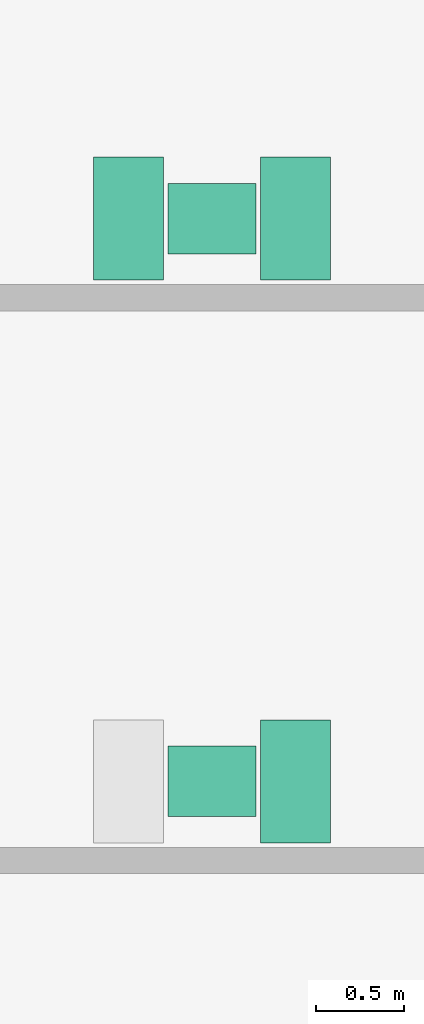
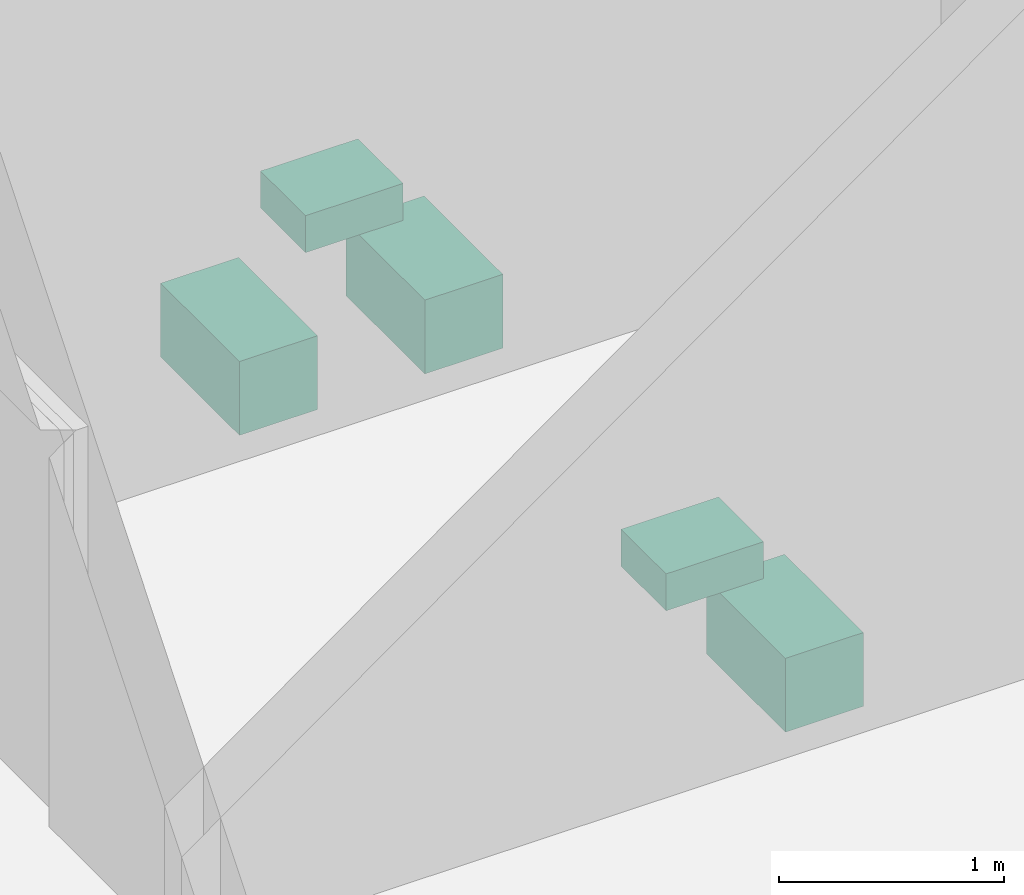
# One storey, part 25 of 26: 5 sanitary terminals.
"""IFC4 building model written with IfcOpenShell, lengths in metres."""

import ifcopenshell
import ifcopenshell.guid

model = None  # the IFC model being written
_history = None  # IfcOwnerHistory: only IFC2X3 demands one
_inside = {}  # id of a spatial element -> (the spatial element, [elements in it])
_under = {}  # id of a project, library or spatial element -> (it, [spatial elements below it])
_declared = {}  # id of a project -> (the project, [libraries it declares])
_typed = {}  # id of a type object -> (the type object, [elements of that type])
_made_of = {}  # id of a material, layer set ... -> (it, [elements and type objects made of it])


def new_model(schema):
    """Start an empty IFC model of exactly this schema.

    Asked for "IFC4X3", IfcOpenShell would pick the latest addendum, in which some entities
    have other attributes; the version numbers below select the first issue.
    IFC2X3 requires an IfcOwnerHistory on every rooted entity: one is made here for all.
    """
    global model, _history
    if schema == "IFC4X3":
        model = ifcopenshell.file(schema_version=(4, 3, 0, 0))
    else:
        model = ifcopenshell.file(schema=schema)
    _inside.clear()
    _under.clear()
    _declared.clear()
    _typed.clear()
    _made_of.clear()
    _history = None
    if model.schema == "IFC2X3":
        org = make("IfcOrganization", Name="unknown")
        user = make(
            "IfcPersonAndOrganization",
            ThePerson=make("IfcPerson", FamilyName="unknown"),
            TheOrganization=org,
        )
        app = make(
            "IfcApplication",
            ApplicationDeveloper=org,
            Version="unknown",
            ApplicationFullName="unknown",
            ApplicationIdentifier="unknown",
        )
        _history = make(
            "IfcOwnerHistory",
            OwningUser=user,
            OwningApplication=app,
            ChangeAction="ADDED",
            CreationDate=0,
        )
    return model


def make(cls, **values):
    """One entity of the class cls with the attributes given. An attribute that is None is left unset."""
    return model.create_entity(
        cls, **{name: value for name, value in values.items() if value is not None}
    )


def rooted(cls, **values):
    """An entity with a GlobalId (a new one), such as an element, a storey or a relation."""
    return make(cls, GlobalId=ifcopenshell.guid.new(), OwnerHistory=_history, **values)


def si_unit(unit_type, name, prefix=None):
    """IfcSIUnit, for example si_unit("LENGTHUNIT", "METRE", prefix="MILLI")."""
    return make("IfcSIUnit", UnitType=unit_type, Prefix=prefix, Name=name)


def assignment(units):
    """IfcUnitAssignment: the units of a project."""
    return None if units is None else make("IfcUnitAssignment", Units=units)


def point(xyz):
    """IfcCartesianPoint."""
    return None if xyz is None else make("IfcCartesianPoint", Coordinates=xyz)


def direction(xyz):
    """IfcDirection."""
    return None if xyz is None else make("IfcDirection", DirectionRatios=xyz)


def frame(location, z_axis=None, x_axis=None):
    """IfcAxis2Placement3D, a coordinate frame: its origin and axes. An axis left out is left unset."""
    return make(
        "IfcAxis2Placement3D",
        Location=point(location),
        Axis=direction(z_axis),
        RefDirection=direction(x_axis),
    )


def frame_2d(location, x_axis=None):
    """IfcAxis2Placement2D, a coordinate frame in the plane: its origin and x axis."""
    return make(
        "IfcAxis2Placement2D", Location=point(location), RefDirection=direction(x_axis)
    )


def origin():
    """The frame at (0, 0, 0) with its axes left unset."""
    return frame((0.0, 0.0, 0.0))


def origin_2d():
    """The frame at (0, 0) in the plane with its x axis left unset."""
    return frame_2d((0.0, 0.0))


def place(relative_to, where):
    """IfcLocalPlacement: puts the frame where relative to a parent placement (None: the world)."""
    return make(
        "IfcLocalPlacement", PlacementRelTo=relative_to, RelativePlacement=where
    )


def context(
    kind, dimensions, precision=None, world=None, true_north=None, identifier=None
):
    """IfcGeometricRepresentationContext, for example the 3D "Model" context."""
    return make(
        "IfcGeometricRepresentationContext",
        ContextIdentifier=identifier,
        ContextType=kind,
        CoordinateSpaceDimension=dimensions,
        Precision=precision,
        WorldCoordinateSystem=world,
        TrueNorth=true_north,
    )


def subcontext(parent, identifier, kind, view, scale=None):
    """IfcGeometricRepresentationSubContext, for example "Body" below "Model"."""
    return make(
        "IfcGeometricRepresentationSubContext",
        ContextIdentifier=identifier,
        ContextType=kind,
        ParentContext=parent,
        TargetScale=scale,
        TargetView=view,
    )


def project(units=None, contexts=None):
    """IfcProject with its units and contexts."""
    return rooted(
        "IfcProject",
        Name="project",
        RepresentationContexts=contexts,
        UnitsInContext=assignment(units),
    )


def spatial(cls, under=None, at=None, **own):
    """A site, building, storey or space (cls), placed at a placement, below another one or the project."""
    s = rooted(cls, ObjectPlacement=at, **own)
    if under is not None:
        _under.setdefault(under.id(), (under, []))[1].append(s)
    return s


def profile(cls, at=None, kind="AREA", **sizes):
    """A parametric profile (cls). Its sizes go by their IFC names, for example OverallWidth=200.0."""
    return make(cls, ProfileType=kind, Position=at, **sizes)


def rectangle(**sizes):
    """IfcRectangleProfileDef."""
    return profile("IfcRectangleProfileDef", **sizes)


def extrude(swept, where, along, depth):
    """IfcExtrudedAreaSolid: the profile swept, set in the frame where, extruded along a direction by depth."""
    return make(
        "IfcExtrudedAreaSolid",
        SweptArea=swept,
        Position=where,
        ExtrudedDirection=direction(along),
        Depth=depth,
    )


def shape(context_of_items, identifier, shape_type, items):
    """IfcShapeRepresentation: the items that make up one representation, for example the "Body"."""
    return make(
        "IfcShapeRepresentation",
        ContextOfItems=context_of_items,
        RepresentationIdentifier=identifier,
        RepresentationType=shape_type,
        Items=items,
    )


def made_of(thing, what):
    """Note that an element or type object is made of a material, layer set ...; save() writes the relation."""
    if what is not None:
        _made_of.setdefault(what.id(), (what, []))[1].append(thing)
    return thing


def element(
    cls,
    number,
    at=None,
    inside=None,
    cuts=None,
    type_object=None,
    material=None,
    context=None,
    identifier="Body",
    shape_type=None,
    held_by="IfcProductDefinitionShape",
    body=None,
    shapes=None,
    **own,
):
    """One element of the class cls, such as IfcWall. Its Tag is "e" and its number.

    at: its placement. inside: the storey or other place that contains it. cuts: it is an
    opening in that element (IfcRelVoidsElement). A single representation is given by context,
    identifier, shape_type and body (its items); several are given by shapes. held_by: the class
    of the entity that holds the representations. save() writes the other relations.
    """
    e = rooted(cls, Tag="e%d" % number, ObjectPlacement=at, **own)
    if body is not None:
        shapes = [shape(context, identifier, shape_type, body)]
    if shapes is not None:
        e.Representation = make(held_by, Representations=shapes)
    if inside is not None:
        _inside.setdefault(inside.id(), (inside, []))[1].append(e)
    if cuts is not None:
        rooted(
            "IfcRelVoidsElement", RelatingBuildingElement=cuts, RelatedOpeningElement=e
        )
    if type_object is not None:
        _typed.setdefault(type_object.id(), (type_object, []))[1].append(e)
    return made_of(e, material)


def aggregate(whole, parts):
    """IfcRelAggregates: a whole, such as a stair, and the parts it consists of."""
    return rooted("IfcRelAggregates", RelatingObject=whole, RelatedObjects=parts)


def save(model, path):
    """Write the relations noted so far, then the file.

    IfcRelAggregates (storeys below a building ...), IfcRelContainedInSpatialStructure (elements
    in a storey), IfcRelDefinesByType, IfcRelAssociatesMaterial and IfcRelDeclares: one each for
    every whole, place, type object, material and project.
    """
    for whole, parts in _under.values():
        aggregate(whole, parts)
    for where, things in _inside.values():
        rooted(
            "IfcRelContainedInSpatialStructure",
            RelatedElements=things,
            RelatingStructure=where,
        )
    for kind, things in _typed.values():
        rooted("IfcRelDefinesByType", RelatedObjects=things, RelatingType=kind)
    for what, things in _made_of.values():
        rooted("IfcRelAssociatesMaterial", RelatedObjects=things, RelatingMaterial=what)
    for by, libraries in _declared.values():
        rooted("IfcRelDeclares", RelatingContext=by, RelatedDefinitions=libraries)
    model.write(path)


model = new_model("IFC4")

# Units and contexts
model_context = context("Model", 3, precision=1e-05, world=origin(), true_north=direction((0.0, 1.0)))
body_context = subcontext(model_context, "Body", "Model", "MODEL_VIEW")
ifc_project = project(units=[si_unit("LENGTHUNIT", "METRE"), si_unit("AREAUNIT", "SQUARE_METRE"), si_unit("VOLUMEUNIT", "CUBIC_METRE"), si_unit("PLANEANGLEUNIT", "RADIAN"), si_unit("MASSUNIT", "GRAM", prefix="KILO")], contexts=[model_context])

# Site, building, storey
site_placement = place(None, origin())
site = spatial("IfcSite", under=ifc_project, at=site_placement, CompositionType="ELEMENT")
building_placement = place(site_placement, origin())
building = spatial("IfcBuilding", under=site, at=building_placement, Name="Tuart Gate Housing", CompositionType="ELEMENT")
storey_placement = place(building_placement, origin())
storey = spatial("IfcBuildingStorey", under=building, at=storey_placement, Name="L00", CompositionType="ELEMENT", Elevation=0.0)

# Sanitary terminals
sanitary_terminal_1_placement = place(storey_placement, frame((176.294921875, 61.25, 0.0), z_axis=(0.0, 0.0, 1.0), x_axis=(1.0, 0.0, 0.0)))
element("IfcSanitaryTerminal", 1, at=sanitary_terminal_1_placement, inside=storey, Name="Water closet", PredefinedType="TOILETPAN", context=body_context, shape_type="SweptSolid", body=[
    extrude(rectangle(XDim=0.39990234375, YDim=0.699951171875, at=origin_2d()), origin(), (0.0, 0.0, 1.0), 0.39990234375),
])
sanitary_terminal_2_placement = place(storey_placement, frame((175.820068359375, 61.25, 0.75), z_axis=(0.0, 0.0, 1.0), x_axis=(1.0, 0.0, 0.0)))
element("IfcSanitaryTerminal", 2, at=sanitary_terminal_2_placement, inside=storey, Name="Wash basin", PredefinedType="WASHHANDBASIN", context=body_context, shape_type="SweptSolid", body=[
    extrude(rectangle(XDim=0.5, YDim=0.39990234375, at=origin_2d()), origin(), (0.0, 0.0, 1.0), 0.199951171875),
])
for number, where, z_axis, x_axis, name in (
    (3, (175.344970703125, 64.449951171875, 0.0), (0.0, 0.0, 1.0), (1.0, 0.0, 0.0), "Water closet"),
    (4, (176.294921875, 64.449951171875, 0.0), (0.0, 0.0, 1.0), (1.0, 0.0, 0.0), "Water closet"),
):
    element("IfcSanitaryTerminal", number, at=place(storey_placement, frame(where, z_axis=z_axis, x_axis=x_axis)), inside=storey, Name=name, PredefinedType="TOILETPAN", context=body_context, shape_type="SweptSolid", body=[
        extrude(rectangle(XDim=0.39990234375, YDim=0.699951171875, at=origin_2d()), origin(), (0.0, 0.0, 1.0), 0.39990234375),
    ])
sanitary_terminal_3_placement = place(storey_placement, frame((175.820068359375, 64.449951171875, 0.75), z_axis=(0.0, 0.0, 1.0), x_axis=(1.0, 0.0, 0.0)))
element("IfcSanitaryTerminal", 5, at=sanitary_terminal_3_placement, inside=storey, Name="Wash basin", PredefinedType="WASHHANDBASIN", context=body_context, shape_type="SweptSolid", body=[
    extrude(rectangle(XDim=0.5, YDim=0.39990234375, at=origin_2d()), origin(), (0.0, 0.0, 1.0), 0.199951171875),
])

save(model, "model.ifc")
